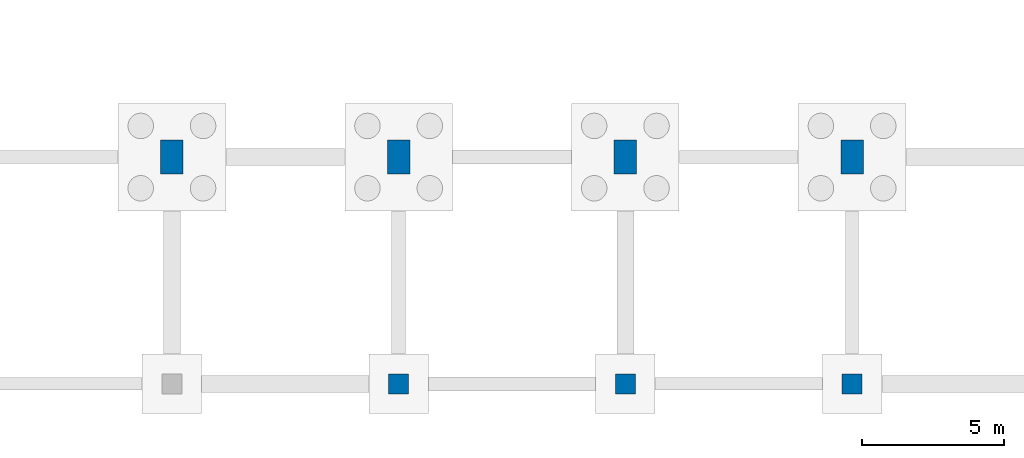
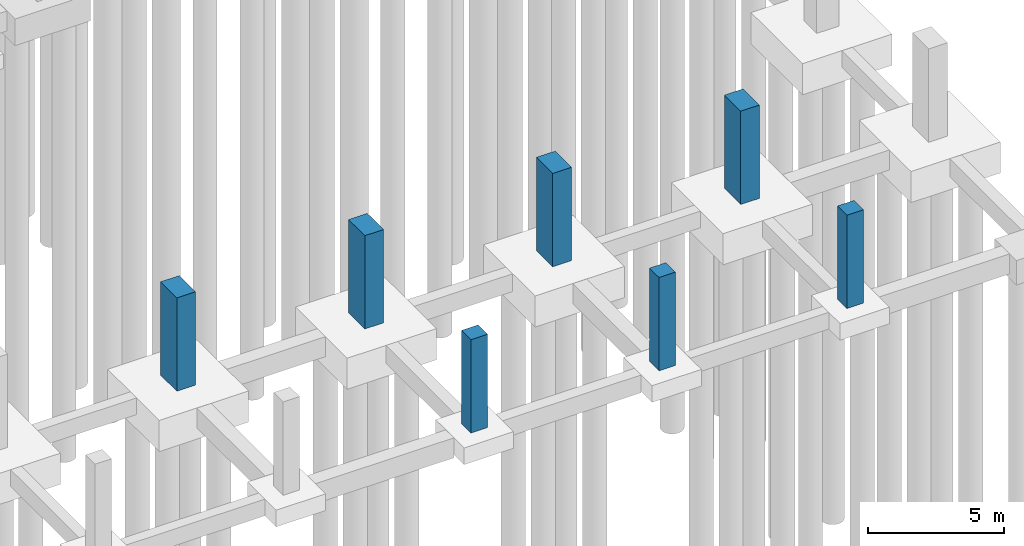
# One storey, part 15 of 32: 7 columns.
"""IFC4 building model written with IfcOpenShell, lengths in metres."""

from ifc_helpers import new_model, si_unit, direction, frame, origin, origin_2d, place, context, subcontext, project, spatial, rectangle, extrude, material, material_profile, profile_set, type_object, element, save


model = new_model("IFC4")

# Units and contexts
model_context = context("Model", 3, precision=1e-05, world=origin(), true_north=direction((0.0, 1.0)))
body_context = subcontext(model_context, "Body", "Model", "MODEL_VIEW")
ifc_project = project(units=[si_unit("LENGTHUNIT", "METRE"), si_unit("AREAUNIT", "SQUARE_METRE"), si_unit("VOLUMEUNIT", "CUBIC_METRE"), si_unit("PLANEANGLEUNIT", "RADIAN"), si_unit("MASSUNIT", "GRAM", prefix="KILO")], contexts=[model_context])

# Site, building, storey
site_placement = place(None, origin())
site = spatial("IfcSite", under=ifc_project, at=site_placement, CompositionType="ELEMENT")
building_placement = place(site_placement, origin())
building = spatial("IfcBuilding", under=site, at=building_placement, Name="Tenunan Teduh Sports Hall", CompositionType="ELEMENT")
storey_placement = place(building_placement, frame((0.0, 0.0, -4.199951171875)))
storey = spatial("IfcBuildingStorey", under=building, at=storey_placement, Name="B1", CompositionType="ELEMENT", Elevation=-4.199951171875)

# Columns
ifc_material_1 = material(Name="Concrete C40/50", Category="concrete")
ifc_material_profile_1 = material_profile(ifc_material_1, rectangle(XDim=0.699951171875, YDim=0.699951171875, at=origin_2d()), Name="RC 700x700")
ifc_profile_set_1 = profile_set([ifc_material_profile_1], Name="Concrete C40/50")
column_type_1 = type_object("IfcColumnType", Name="COL-RC-700", PredefinedType="COLUMN", material=ifc_profile_set_1)
for number, where, z_axis, x_axis, name in (
    (1, (146.0, 6.0, 0.0), (0.0, 0.0, 1.0), (1.0, 0.0, 0.0), "COL-C-07-B1-186"),
    (2, (154.0, 6.0, 0.0), (0.0, 0.0, 1.0), (1.0, 0.0, 0.0), "COL-C-07-B1-199"),
    (3, (162.0, 6.0, 0.0), (0.0, 0.0, 1.0), (1.0, 0.0, 0.0), "COL-C-07-B1-212"),
):
    element("IfcColumn", number, at=place(storey_placement, frame(where, z_axis=z_axis, x_axis=x_axis)), inside=storey, type_object=column_type_1, Name=name, PredefinedType="COLUMN", context=body_context, shape_type="SweptSolid", body=[
        extrude(rectangle(XDim=0.699951171875, YDim=0.699951171875, at=origin_2d()), origin(), (0.0, 0.0, 1.0), 4.199951171875),
    ])
ifc_material_2 = material(Name="Concrete C40/50", Category="concrete")
ifc_material_profile_2 = material_profile(ifc_material_2, rectangle(XDim=0.800048828125, YDim=1.199951171875, at=origin_2d()), Name="RC 800x1200")
ifc_profile_set_2 = profile_set([ifc_material_profile_2], Name="Concrete C40/50")
column_type_2 = type_object("IfcColumnType", Name="COL-RC-800x1200", PredefinedType="COLUMN", material=ifc_profile_set_2)
for number, where, z_axis, x_axis, name in (
    (4, (138.0, 14.0, 0.0), (0.0, 0.0, 1.0), (1.0, 0.0, 0.0), "COL-C-14-B1-177"),
    (5, (146.0, 14.0, 0.0), (0.0, 0.0, 1.0), (1.0, 0.0, 0.0), "COL-C-14-B1-187"),
    (6, (154.0, 14.0, 0.0), (0.0, 0.0, 1.0), (1.0, 0.0, 0.0), "COL-C-14-B1-200"),
    (7, (162.0, 14.0, 0.0), (0.0, 0.0, 1.0), (1.0, 0.0, 0.0), "COL-C-14-B1-213"),
):
    element("IfcColumn", number, at=place(storey_placement, frame(where, z_axis=z_axis, x_axis=x_axis)), inside=storey, type_object=column_type_2, Name=name, PredefinedType="COLUMN", context=body_context, shape_type="SweptSolid", body=[
        extrude(rectangle(XDim=0.800048828125, YDim=1.199951171875, at=origin_2d()), origin(), (0.0, 0.0, 1.0), 4.199951171875),
    ])

save(model, "model.ifc")
